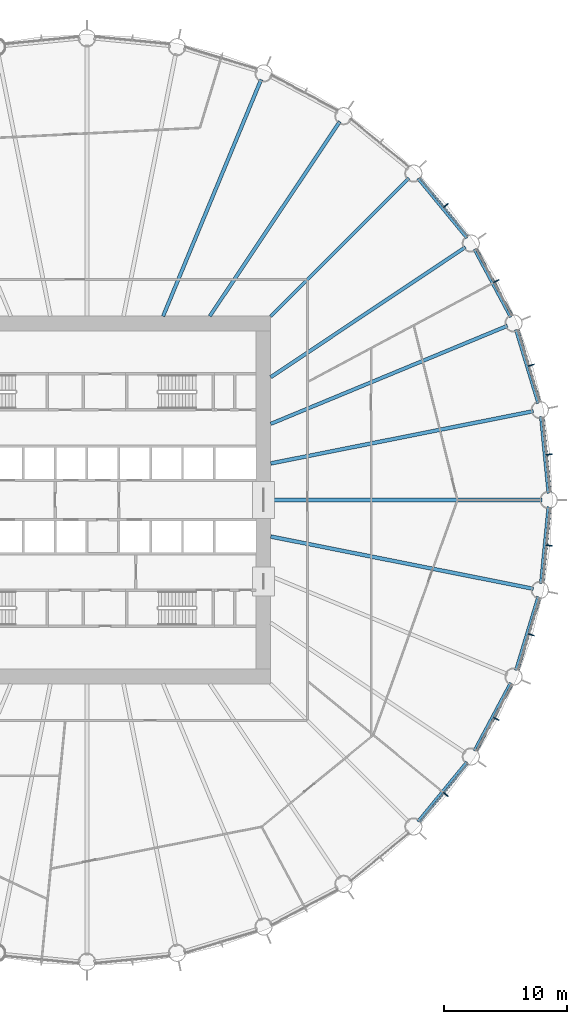
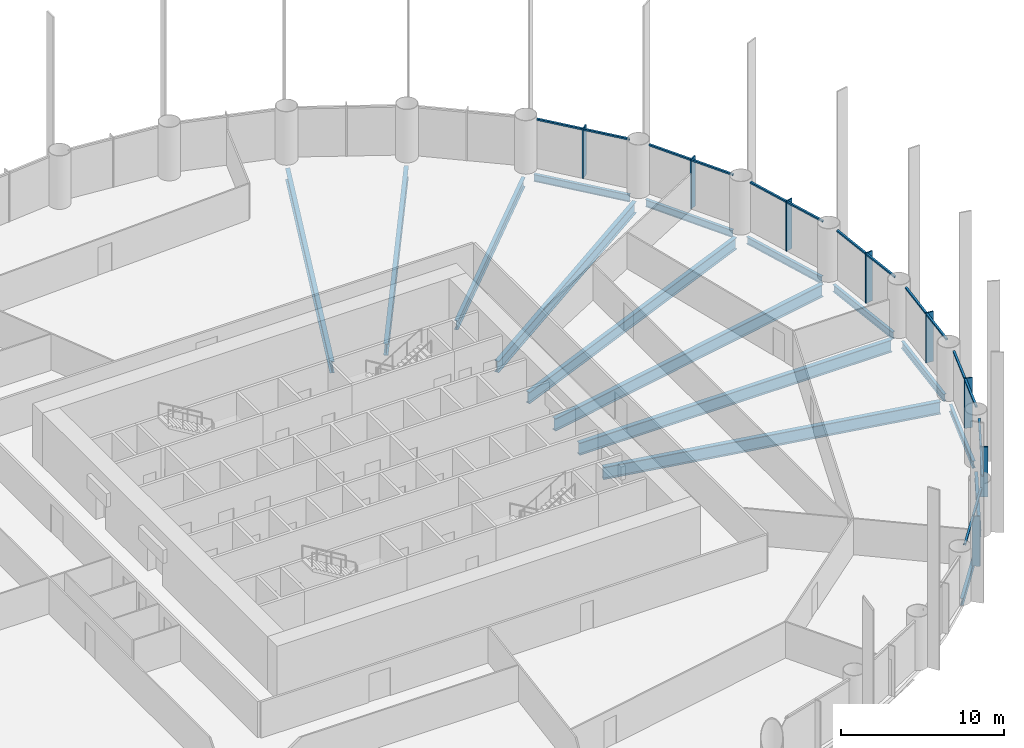
# One storey, part 5 of 14: 24 members, 16 beams, 8 elements without a shape of their own.
"""IFC4 building model written with IfcOpenShell, lengths in metres."""

from ifc_helpers import new_model, si_unit, direction, frame, origin, origin_2d, place, context, subcontext, project, spatial, rectangle, i_section, extrude, material, material_profile, profile_set, type_object, element, aggregate, save


model = new_model("IFC4")

# Units and contexts
model_context = context("Model", 3, precision=1e-05, world=origin(), true_north=direction((0.0, 1.0)))
body_context = subcontext(model_context, "Body", "Model", "MODEL_VIEW")
ifc_project = project(units=[si_unit("LENGTHUNIT", "METRE"), si_unit("AREAUNIT", "SQUARE_METRE"), si_unit("VOLUMEUNIT", "CUBIC_METRE"), si_unit("PLANEANGLEUNIT", "RADIAN"), si_unit("MASSUNIT", "GRAM", prefix="KILO")], contexts=[model_context])

# Site, building, storey
site_placement = place(None, origin())
site = spatial("IfcSite", under=ifc_project, at=site_placement, CompositionType="ELEMENT")
building_placement = place(site_placement, origin())
building = spatial("IfcBuilding", under=site, at=building_placement, Name="Corvane Civic Tower", CompositionType="ELEMENT")
storey_placement = place(building_placement, frame((0.0, 0.0, 77.0)))
storey = spatial("IfcBuildingStorey", under=building, at=storey_placement, Name="L17", CompositionType="ELEMENT", Elevation=77.0)

# Beams
ifc_material_1 = material(Name="Steel ASTM A992 Gr 50", Category="steel")
ifc_material_profile_1 = material_profile(ifc_material_1, i_section(OverallWidth=0.209228515625, OverallDepth=0.533447265625, WebThickness=0.01025390625, FlangeThickness=0.015625, at=origin_2d()), Name="W21X62")
ifc_profile_set_1 = profile_set([ifc_material_profile_1], Name="Steel ASTM A992 Gr 50")
beam_type_1 = type_object("IfcBeamType", Name="EDGE BEAM W21X62", PredefinedType="BEAM", material=ifc_profile_set_1)
beam_1_placement = place(storey_placement, frame((27.0068359375, 26.23291015625, -0.566650390625), z_axis=(0.634386787141, -0.773015785286, 0.0), x_axis=(0.773015785286, 0.634386787141, 0.0)))
element("IfcBeam", 1, at=beam_1_placement, inside=storey, type_object=beam_type_1, Name="BM-L17-E05", PredefinedType="BEAM", context=body_context, shape_type="SweptSolid", body=[
    extrude(i_section(OverallWidth=0.209228515625, OverallDepth=0.533447265625, WebThickness=0.01025390625, FlangeThickness=0.015625, at=origin_2d()), origin(), (0.0, 0.0, 1.0), 6.290771484375),
])
for number, where, z_axis, x_axis, name in (
    (2, (31.605712890625, 20.4599609375, -0.566650390625), (0.471405897311, -0.881916367906, 0.0), (0.881916367906, 0.471405897311, 0.0), "BM-L17-E06"),
    (3, (34.989990234375, 13.90087890625, -0.566650390625), (0.290273452184, -0.956943740748, 0.0), (0.956943740748, 0.290273452184, 0.0), "BM-L17-E07"),
):
    element("IfcBeam", number, at=place(storey_placement, frame(where, z_axis=z_axis, x_axis=x_axis)), inside=storey, type_object=beam_type_1, Name=name, PredefinedType="BEAM", context=body_context, shape_type="SweptSolid", body=[
        extrude(i_section(OverallWidth=0.209228515625, OverallDepth=0.533447265625, WebThickness=0.01025390625, FlangeThickness=0.015625, at=origin_2d()), origin(), (0.0, 0.0, 1.0), 6.290283203125),
    ])
for number, where, z_axis, x_axis, name in (
    (4, (37.029541015625, 6.8076171875, -0.566650390625), (0.097997284622, -0.995186682089, 0.0), (0.995186682089, 0.097997284622, 0.0), "BM-L17-E08"),
    (5, (37.64599609375, -0.54736328125, -0.566650390625), (-0.097997284622, -0.995186682089, 0.0), (0.995186682089, -0.097997284622, 0.0), "BM-L17-E09"),
):
    element("IfcBeam", number, at=place(storey_placement, frame(where, z_axis=z_axis, x_axis=x_axis)), inside=storey, type_object=beam_type_1, Name=name, PredefinedType="BEAM", context=body_context, shape_type="SweptSolid", body=[
        extrude(i_section(OverallWidth=0.209228515625, OverallDepth=0.533447265625, WebThickness=0.01025390625, FlangeThickness=0.015625, at=origin_2d()), origin(), (0.0, 0.0, 1.0), 6.29052734375),
    ])
for number, where, z_axis, x_axis, name in (
    (6, (36.81591796875, -7.88134765625, -0.566650390625), (-0.290273452184, -0.956943740748, 0.0), (0.956943740748, -0.290273452184, 0.0), "BM-L17-E10"),
    (7, (34.571044921875, -14.912353515625, -0.566650390625), (-0.471405897311, -0.881916367906, 0.0), (0.881916367906, -0.471405897311, 0.0), "BM-L17-E11"),
):
    element("IfcBeam", number, at=place(storey_placement, frame(where, z_axis=z_axis, x_axis=x_axis)), inside=storey, type_object=beam_type_1, Name=name, PredefinedType="BEAM", context=body_context, shape_type="SweptSolid", body=[
        extrude(i_section(OverallWidth=0.209228515625, OverallDepth=0.533447265625, WebThickness=0.01025390625, FlangeThickness=0.015625, at=origin_2d()), origin(), (0.0, 0.0, 1.0), 6.290283203125),
    ])
beam_2_placement = place(storey_placement, frame((30.99755859375, -21.3701171875, -0.566650390625), z_axis=(-0.634386787141, -0.773015785286, 0.0), x_axis=(0.773015785286, -0.634386787141, 0.0)))
element("IfcBeam", 8, at=beam_2_placement, inside=storey, type_object=beam_type_1, Name="BM-L17-E12", PredefinedType="BEAM", context=body_context, shape_type="SweptSolid", body=[
    extrude(i_section(OverallWidth=0.209228515625, OverallDepth=0.533447265625, WebThickness=0.01025390625, FlangeThickness=0.015625, at=origin_2d()), origin(), (0.0, 0.0, 1.0), 6.290771484375),
])
ifc_material_2 = material(Name="Steel ASTM A992 Gr 50", Category="steel")
ifc_material_profile_2 = material_profile(ifc_material_2, i_section(OverallWidth=0.256591796875, OverallDepth=0.693359375, WebThickness=0.014404296875, FlangeThickness=0.023681640625, at=origin_2d()), Name="W27X114")
ifc_profile_set_2 = profile_set([ifc_material_profile_2], Name="Steel ASTM A992 Gr 50")
beam_type_2 = type_object("IfcBeamType", Name="FLOOR GIRDER W27X114", PredefinedType="BEAM", material=ifc_profile_set_2)
beam_3_placement = place(storey_placement, frame((15.0, 15.0, -0.646728515625), z_axis=(0.707106781187, 0.707106781187, 0.0), x_axis=(-0.707106781187, 0.707106781187, 0.0)))
element("IfcBeam", 9, at=beam_3_placement, inside=storey, type_object=beam_type_2, Name="BM-L17-G05", PredefinedType="BEAM", context=body_context, shape_type="SweptSolid", body=[
    extrude(i_section(OverallWidth=0.256591796875, OverallDepth=0.693359375, WebThickness=0.014404296875, FlangeThickness=0.023681640625, at=origin_2d()), origin(), (0.0, 0.0, 1.0), 15.936767578125),
])
ifc_material_3 = material(Name="Steel ASTM A992 Gr 50", Category="steel")
ifc_material_profile_3 = material_profile(ifc_material_3, i_section(OverallWidth=0.2919921875, OverallDepth=0.8583984375, WebThickness=0.01708984375, FlangeThickness=0.031005859375, at=origin_2d()), Name="W33X169")
ifc_profile_set_3 = profile_set([ifc_material_profile_3], Name="Steel ASTM A992 Gr 50")
beam_type_3 = type_object("IfcBeamType", Name="FLOOR GIRDER W33X169", PredefinedType="BEAM", material=ifc_profile_set_3)
beam_4_placement = place(storey_placement, frame((6.213134765625, 15.0, -0.729248046875), z_axis=(0.382692360381, 0.923875834355, 0.0), x_axis=(-0.923875834355, 0.382692360381, 0.0)))
element("IfcBeam", 10, at=beam_4_placement, inside=storey, type_object=beam_type_3, Name="BM-L17-G03", PredefinedType="BEAM", context=body_context, shape_type="SweptSolid", body=[
    extrude(i_section(OverallWidth=0.2919921875, OverallDepth=0.8583984375, WebThickness=0.01708984375, FlangeThickness=0.031005859375, at=origin_2d()), origin(), (0.0, 0.0, 1.0), 20.9140625),
])
for number, where, z_axis, x_axis, name in (
    (11, (10.022705078125, 15.0, -0.729248046875), (0.555566681385, 0.831471985418, 0.0), (-0.831471985418, 0.555566681385, 0.0), "BM-L17-G04"),
    (12, (15.0, 10.022705078125, -0.729248046875), (0.831471985418, 0.555566681385, 0.0), (-0.555566681385, 0.831471985418, 0.0), "BM-L17-G06"),
):
    element("IfcBeam", number, at=place(storey_placement, frame(where, z_axis=z_axis, x_axis=x_axis)), inside=storey, type_object=beam_type_3, Name=name, PredefinedType="BEAM", context=body_context, shape_type="SweptSolid", body=[
        extrude(i_section(OverallWidth=0.2919921875, OverallDepth=0.8583984375, WebThickness=0.01708984375, FlangeThickness=0.031005859375, at=origin_2d()), origin(), (0.0, 0.0, 1.0), 19.109619140625),
    ])
beam_5_placement = place(storey_placement, frame((15.0, 6.213134765625, -0.729248046875), z_axis=(0.923875834355, 0.382692360381, 0.0), x_axis=(-0.382692360381, 0.923875834355, 0.0)))
element("IfcBeam", 13, at=beam_5_placement, inside=storey, type_object=beam_type_3, Name="BM-L17-G07", PredefinedType="BEAM", context=body_context, shape_type="SweptSolid", body=[
    extrude(i_section(OverallWidth=0.2919921875, OverallDepth=0.8583984375, WebThickness=0.01708984375, FlangeThickness=0.031005859375, at=origin_2d()), origin(), (0.0, 0.0, 1.0), 20.9140625),
])
ifc_material_4 = material(Name="Steel ASTM A992 Gr 50", Category="steel")
ifc_material_profile_4 = material_profile(ifc_material_4, i_section(OverallWidth=0.307373046875, OverallDepth=0.927001953125, WebThickness=0.01953125, FlangeThickness=0.031982421875, at=origin_2d()), Name="W36X194")
ifc_profile_set_4 = profile_set([ifc_material_profile_4], Name="Steel ASTM A992 Gr 50")
beam_type_4 = type_object("IfcBeamType", Name="FLOOR GIRDER W36X194", PredefinedType="BEAM", material=ifc_profile_set_4)
beam_6_placement = place(storey_placement, frame((15.0, 2.983642578125, -0.763671875), z_axis=(0.980785499679, 0.195089219638, 0.0), x_axis=(-0.195089219638, 0.980785499679, 0.0)))
element("IfcBeam", 14, at=beam_6_placement, inside=storey, type_object=beam_type_4, Name="BM-L17-G08", PredefinedType="BEAM", context=body_context, shape_type="SweptSolid", body=[
    extrude(i_section(OverallWidth=0.307373046875, OverallDepth=0.927001953125, WebThickness=0.01953125, FlangeThickness=0.031982421875, at=origin_2d()), origin(), (0.0, 0.0, 1.0), 21.856201171875),
])
beam_7_placement = place(storey_placement, frame((15.0, 0.0, -0.763671875), z_axis=(1.0, 0.0, 0.0), x_axis=(0.0, 1.0, 0.0)))
element("IfcBeam", 15, at=beam_7_placement, inside=storey, type_object=beam_type_4, Name="BM-L17-G09", PredefinedType="BEAM", context=body_context, shape_type="SweptSolid", body=[
    extrude(i_section(OverallWidth=0.307373046875, OverallDepth=0.927001953125, WebThickness=0.01953125, FlangeThickness=0.031982421875, at=origin_2d()), origin(), (0.0, 0.0, 1.0), 22.14990234375),
])
beam_8_placement = place(storey_placement, frame((15.0, -2.983642578125, -0.763671875), z_axis=(0.980785499679, -0.195089219638, 0.0), x_axis=(0.195089219638, 0.980785499679, 0.0)))
element("IfcBeam", 16, at=beam_8_placement, inside=storey, type_object=beam_type_4, Name="BM-L17-G10", PredefinedType="BEAM", context=body_context, shape_type="SweptSolid", body=[
    extrude(i_section(OverallWidth=0.307373046875, OverallDepth=0.927001953125, WebThickness=0.01953125, FlangeThickness=0.031982421875, at=origin_2d()), origin(), (0.0, 0.0, 1.0), 21.856201171875),
])

# Curtain wall, members
ifc_material_5 = material(Name="Anodised aluminium bronze", Category="aluminium")
curtain_wall_type = type_object("IfcCurtainWallType", Name="TOWER CW-T1 STICK CURTAIN WALL", PredefinedType="NOTDEFINED", material=ifc_material_5)
curtain_wall_1_placement = place(storey_placement, origin())
curtain_wall_1 = element("IfcCurtainWall", 17, at=curtain_wall_1_placement, inside=storey, type_object=curtain_wall_type, Name="Curtain wall CW-T1 L17 bay 05", PredefinedType="NOTDEFINED")
ifc_material_6 = material(Name="Anodised aluminium bronze", Category="aluminium")
ifc_material_profile_5 = material_profile(ifc_material_6, rectangle(XDim=0.139892578125, YDim=0.1201171875, at=origin_2d()), Name="TOWER CW-T1 TRANSOM 140x120")
ifc_profile_set_5 = profile_set([ifc_material_profile_5], Name="Anodised aluminium bronze")
member_type_1 = type_object("IfcMemberType", Name="TOWER CW-T1 TRANSOM 140x120", PredefinedType="USERDEFINED", material=ifc_profile_set_5)
member_1_placement = place(storey_placement, frame((27.20654296875, 26.271728515625, 3.68994140625), z_axis=(0.634403652865, -0.773001943873, 0.0), x_axis=(0.773001943873, 0.634403652865, 0.0)))
member_1 = element("IfcMember", 18, at=member_1_placement, type_object=member_type_1, Name="Transom CW-T1 L17 05.1", ObjectType="TRANSOM", PredefinedType="USERDEFINED", context=body_context, shape_type="SweptSolid", body=[
    extrude(rectangle(XDim=0.139892578125, YDim=0.1201171875, at=origin_2d()), origin(), (0.0, 0.0, 1.0), 3.008544921875),
])
member_2_placement = place(storey_placement, frame((29.166015625, 23.88427734375, 3.68994140625), z_axis=(0.634355161466, -0.773041738279, 0.0), x_axis=(0.773041738279, 0.634355161466, 0.0)))
member_2 = element("IfcMember", 19, at=member_2_placement, type_object=member_type_1, Name="Transom CW-T1 L17 05.2", ObjectType="TRANSOM", PredefinedType="USERDEFINED", context=body_context, shape_type="SweptSolid", body=[
    extrude(rectangle(XDim=0.139892578125, YDim=0.1201171875, at=origin_2d()), origin(), (0.0, 0.0, 1.0), 3.008544921875),
])

curtain_wall_2_placement = place(storey_placement, origin())
curtain_wall_2 = element("IfcCurtainWall", 20, at=curtain_wall_2_placement, inside=storey, type_object=curtain_wall_type, Name="Curtain wall CW-T1 L17 bay 06", PredefinedType="NOTDEFINED")
member_3_placement = place(storey_placement, frame((31.809326171875, 20.459228515625, 3.68994140625), z_axis=(0.471392506424, -0.881923525532, 0.0), x_axis=(0.881923525532, 0.471392506424, 0.0)))
member_3 = element("IfcMember", 21, at=member_3_placement, type_object=member_type_1, Name="Transom CW-T1 L17 06.1", ObjectType="TRANSOM", PredefinedType="USERDEFINED", context=body_context, shape_type="SweptSolid", body=[
    extrude(rectangle(XDim=0.139892578125, YDim=0.1201171875, at=origin_2d()), origin(), (0.0, 0.0, 1.0), 3.008544921875),
])
member_4_placement = place(storey_placement, frame((33.26513671875, 17.7353515625, 3.68994140625), z_axis=(0.471392506424, -0.881923525532, 0.0), x_axis=(0.881923525532, 0.471392506424, 0.0)))
member_4 = element("IfcMember", 22, at=member_4_placement, type_object=member_type_1, Name="Transom CW-T1 L17 06.2", ObjectType="TRANSOM", PredefinedType="USERDEFINED", context=body_context, shape_type="SweptSolid", body=[
    extrude(rectangle(XDim=0.139892578125, YDim=0.1201171875, at=origin_2d()), origin(), (0.0, 0.0, 1.0), 3.008544921875),
])

curtain_wall_3_placement = place(storey_placement, origin())
curtain_wall_3 = element("IfcCurtainWall", 23, at=curtain_wall_3_placement, inside=storey, type_object=curtain_wall_type, Name="Curtain wall CW-T1 L17 bay 07", PredefinedType="NOTDEFINED")
member_5_placement = place(storey_placement, frame((35.189453125, 13.8603515625, 3.68994140625), z_axis=(0.290279914268, -0.956941780555, 0.0), x_axis=(0.956941780555, 0.290279914268, 0.0)))
member_5 = element("IfcMember", 24, at=member_5_placement, type_object=member_type_1, Name="Transom CW-T1 L17 07.1", ObjectType="TRANSOM", PredefinedType="USERDEFINED", context=body_context, shape_type="SweptSolid", body=[
    extrude(rectangle(XDim=0.139892578125, YDim=0.1201171875, at=origin_2d()), origin(), (0.0, 0.0, 1.0), 3.008544921875),
])
member_6_placement = place(storey_placement, frame((36.0859375, 10.90478515625, 3.68994140625), z_axis=(0.290279914268, -0.956941780555, 0.0), x_axis=(0.956941780555, 0.290279914268, 0.0)))
member_6 = element("IfcMember", 25, at=member_6_placement, type_object=member_type_1, Name="Transom CW-T1 L17 07.2", ObjectType="TRANSOM", PredefinedType="USERDEFINED", context=body_context, shape_type="SweptSolid", body=[
    extrude(rectangle(XDim=0.139892578125, YDim=0.1201171875, at=origin_2d()), origin(), (0.0, 0.0, 1.0), 3.008544921875),
])

curtain_wall_4_placement = place(storey_placement, origin())
curtain_wall_4 = element("IfcCurtainWall", 26, at=curtain_wall_4_placement, inside=storey, type_object=curtain_wall_type, Name="Curtain wall CW-T1 L17 bay 08", PredefinedType="NOTDEFINED")
member_7_placement = place(storey_placement, frame((37.21728515625, 6.72900390625, 3.68994140625), z_axis=(0.097944923917, -0.995191836722, 0.0), x_axis=(0.995191836722, 0.097944923917, 0.0)))
member_7 = element("IfcMember", 27, at=member_7_placement, type_object=member_type_1, Name="Transom CW-T1 L17 08.1", ObjectType="TRANSOM", PredefinedType="USERDEFINED", context=body_context, shape_type="SweptSolid", body=[
    extrude(rectangle(XDim=0.139892578125, YDim=0.1201171875, at=origin_2d()), origin(), (0.0, 0.0, 1.0), 3.008544921875),
])
member_8_placement = place(storey_placement, frame((37.52001953125, 3.6552734375, 3.68994140625), z_axis=(0.097944923917, -0.995191836722, 0.0), x_axis=(0.995191836722, 0.097944923917, 0.0)))
member_8 = element("IfcMember", 28, at=member_8_placement, type_object=member_type_1, Name="Transom CW-T1 L17 08.2", ObjectType="TRANSOM", PredefinedType="USERDEFINED", context=body_context, shape_type="SweptSolid", body=[
    extrude(rectangle(XDim=0.139892578125, YDim=0.1201171875, at=origin_2d()), origin(), (0.0, 0.0, 1.0), 3.008544921875),
])

curtain_wall_5_placement = place(storey_placement, origin())
curtain_wall_5 = element("IfcCurtainWall", 29, at=curtain_wall_5_placement, inside=storey, type_object=curtain_wall_type, Name="Curtain wall CW-T1 L17 bay 09", PredefinedType="NOTDEFINED")
member_9_placement = place(storey_placement, frame((37.814697265625, -0.6611328125, 3.68994140625), z_axis=(-0.097944923917, -0.995191836722, 0.0), x_axis=(0.995191836722, -0.097944923917, 0.0)))
member_9 = element("IfcMember", 30, at=member_9_placement, type_object=member_type_1, Name="Transom CW-T1 L17 09.1", ObjectType="TRANSOM", PredefinedType="USERDEFINED", context=body_context, shape_type="SweptSolid", body=[
    extrude(rectangle(XDim=0.139892578125, YDim=0.1201171875, at=origin_2d()), origin(), (0.0, 0.0, 1.0), 3.008544921875),
])
member_10_placement = place(storey_placement, frame((37.511962890625, -3.73486328125, 3.68994140625), z_axis=(-0.097944923917, -0.995191836722, 0.0), x_axis=(0.995191836722, -0.097944923917, 0.0)))
member_10 = element("IfcMember", 31, at=member_10_placement, type_object=member_type_1, Name="Transom CW-T1 L17 09.2", ObjectType="TRANSOM", PredefinedType="USERDEFINED", context=body_context, shape_type="SweptSolid", body=[
    extrude(rectangle(XDim=0.139892578125, YDim=0.1201171875, at=origin_2d()), origin(), (0.0, 0.0, 1.0), 3.008544921875),
])

curtain_wall_6_placement = place(storey_placement, origin())
curtain_wall_6 = element("IfcCurtainWall", 32, at=curtain_wall_6_placement, inside=storey, type_object=curtain_wall_type, Name="Curtain wall CW-T1 L17 bay 10", PredefinedType="NOTDEFINED")
member_11_placement = place(storey_placement, frame((36.959228515625, -8.02587890625, 3.68994140625), z_axis=(-0.290279914268, -0.956941780555, 0.0), x_axis=(0.956941780555, -0.290279914268, 0.0)))
member_11 = element("IfcMember", 33, at=member_11_placement, type_object=member_type_1, Name="Transom CW-T1 L17 10.1", ObjectType="TRANSOM", PredefinedType="USERDEFINED", context=body_context, shape_type="SweptSolid", body=[
    extrude(rectangle(XDim=0.139892578125, YDim=0.1201171875, at=origin_2d()), origin(), (0.0, 0.0, 1.0), 3.008544921875),
])
member_12_placement = place(storey_placement, frame((36.062744140625, -10.9814453125, 3.68994140625), z_axis=(-0.290279914268, -0.956941780555, 0.0), x_axis=(0.956941780555, -0.290279914268, 0.0)))
member_12 = element("IfcMember", 34, at=member_12_placement, type_object=member_type_1, Name="Transom CW-T1 L17 10.2", ObjectType="TRANSOM", PredefinedType="USERDEFINED", context=body_context, shape_type="SweptSolid", body=[
    extrude(rectangle(XDim=0.139892578125, YDim=0.1201171875, at=origin_2d()), origin(), (0.0, 0.0, 1.0), 3.008544921875),
])

curtain_wall_7_placement = place(storey_placement, origin())
curtain_wall_7 = element("IfcCurtainWall", 35, at=curtain_wall_7_placement, inside=storey, type_object=curtain_wall_type, Name="Curtain wall CW-T1 L17 bay 11", PredefinedType="NOTDEFINED")
member_13_placement = place(storey_placement, frame((34.683349609375, -15.08203125, 3.68994140625), z_axis=(-0.471392506424, -0.881923525532, 0.0), x_axis=(0.881923525532, -0.471392506424, 0.0)))
member_13 = element("IfcMember", 36, at=member_13_placement, type_object=member_type_1, Name="Transom CW-T1 L17 11.1", ObjectType="TRANSOM", PredefinedType="USERDEFINED", context=body_context, shape_type="SweptSolid", body=[
    extrude(rectangle(XDim=0.139892578125, YDim=0.1201171875, at=origin_2d()), origin(), (0.0, 0.0, 1.0), 3.008544921875),
])
member_14_placement = place(storey_placement, frame((33.2275390625, -17.805908203125, 3.68994140625), z_axis=(-0.471392506424, -0.881923525532, 0.0), x_axis=(0.881923525532, -0.471392506424, 0.0)))
member_14 = element("IfcMember", 37, at=member_14_placement, type_object=member_type_1, Name="Transom CW-T1 L17 11.2", ObjectType="TRANSOM", PredefinedType="USERDEFINED", context=body_context, shape_type="SweptSolid", body=[
    extrude(rectangle(XDim=0.139892578125, YDim=0.1201171875, at=origin_2d()), origin(), (0.0, 0.0, 1.0), 3.008544921875),
])

curtain_wall_8_placement = place(storey_placement, origin())
curtain_wall_8 = element("IfcCurtainWall", 38, at=curtain_wall_8_placement, inside=storey, type_object=curtain_wall_type, Name="Curtain wall CW-T1 L17 bay 12", PredefinedType="NOTDEFINED")
member_15_placement = place(storey_placement, frame((31.074462890625, -21.55859375, 3.68994140625), z_axis=(-0.634355161466, -0.773041738279, 0.0), x_axis=(0.773041738279, -0.634355161466, 0.0)))
member_15 = element("IfcMember", 39, at=member_15_placement, type_object=member_type_1, Name="Transom CW-T1 L17 12.1", ObjectType="TRANSOM", PredefinedType="USERDEFINED", context=body_context, shape_type="SweptSolid", body=[
    extrude(rectangle(XDim=0.139892578125, YDim=0.1201171875, at=origin_2d()), origin(), (0.0, 0.0, 1.0), 3.008544921875),
])
member_16_placement = place(storey_placement, frame((29.115234375, -23.946044921875, 3.68994140625), z_axis=(-0.634403652865, -0.773001943873, 0.0), x_axis=(0.773001943873, -0.634403652865, 0.0)))
member_16 = element("IfcMember", 40, at=member_16_placement, type_object=member_type_1, Name="Transom CW-T1 L17 12.2", ObjectType="TRANSOM", PredefinedType="USERDEFINED", context=body_context, shape_type="SweptSolid", body=[
    extrude(rectangle(XDim=0.139892578125, YDim=0.1201171875, at=origin_2d()), origin(), (0.0, 0.0, 1.0), 3.008544921875),
])

# Member
ifc_material_7 = material(Name="Anodised aluminium bronze", Category="aluminium")
ifc_material_profile_6 = material_profile(ifc_material_7, rectangle(XDim=0.080078125, YDim=0.5, at=origin_2d()), Name="TOWER FIN MULLION 80x500 BRONZE")
ifc_profile_set_6 = profile_set([ifc_material_profile_6], Name="Anodised aluminium bronze")
member_type_2 = type_object("IfcMemberType", Name="TOWER FIN MULLION 80x500 BRONZE", PredefinedType="MULLION", material=ifc_profile_set_6)
member_17_placement = place(storey_placement, frame((29.295166015625, 24.0419921875, 0.0), z_axis=(0.0, 0.0, 1.0), x_axis=(0.634397218569, -0.773007224463, 0.0)))
member_17 = element("IfcMember", 41, at=member_17_placement, type_object=member_type_2, Name="Fin mullion 05 L17", PredefinedType="MULLION", context=body_context, shape_type="SweptSolid", body=[
    extrude(rectangle(XDim=0.080078125, YDim=0.5, at=origin_2d()), origin(), (0.0, 0.0, 1.0), 3.75),
])

aggregate(curtain_wall_1, [member_17, member_1, member_2])

member_18_placement = place(storey_placement, frame((33.422607421875, 17.86474609375, 0.0), z_axis=(0.0, 0.0, 1.0), x_axis=(0.471403725359, -0.881917528864, 0.0)))
member_18 = element("IfcMember", 42, at=member_18_placement, type_object=member_type_2, Name="Fin mullion 06 L17", PredefinedType="MULLION", context=body_context, shape_type="SweptSolid", body=[
    extrude(rectangle(XDim=0.080078125, YDim=0.5, at=origin_2d()), origin(), (0.0, 0.0, 1.0), 3.75),
])

aggregate(curtain_wall_2, [member_18, member_3, member_4])

member_19_placement = place(storey_placement, frame((36.265625, 11.001220703125, 0.0), z_axis=(0.0, 0.0, 1.0), x_axis=(0.290278397654, -0.956942240606, 0.0)))
member_19 = element("IfcMember", 43, at=member_19_placement, type_object=member_type_2, Name="Fin mullion 07 L17", PredefinedType="MULLION", context=body_context, shape_type="SweptSolid", body=[
    extrude(rectangle(XDim=0.080078125, YDim=0.5, at=origin_2d()), origin(), (0.0, 0.0, 1.0), 3.75),
])

aggregate(curtain_wall_3, [member_19, member_5, member_6])

member_20_placement = place(storey_placement, frame((37.715087890625, 3.714599609375, 0.0), z_axis=(0.0, 0.0, 1.0), x_axis=(0.098006239521, -0.995185800248, 0.0)))
member_20 = element("IfcMember", 44, at=member_20_placement, type_object=member_type_2, Name="Fin mullion 08 L17", PredefinedType="MULLION", context=body_context, shape_type="SweptSolid", body=[
    extrude(rectangle(XDim=0.080078125, YDim=0.5, at=origin_2d()), origin(), (0.0, 0.0, 1.0), 3.75),
])

aggregate(curtain_wall_4, [member_20, member_7, member_8])

member_21_placement = place(storey_placement, frame((37.715087890625, -3.714599609375, 0.0), z_axis=(0.0, 0.0, 1.0), x_axis=(-0.098006239521, -0.995185800248, 0.0)))
member_21 = element("IfcMember", 45, at=member_21_placement, type_object=member_type_2, Name="Fin mullion 09 L17", PredefinedType="MULLION", context=body_context, shape_type="SweptSolid", body=[
    extrude(rectangle(XDim=0.080078125, YDim=0.5, at=origin_2d()), origin(), (0.0, 0.0, 1.0), 3.75),
])

aggregate(curtain_wall_5, [member_21, member_9, member_10])

member_22_placement = place(storey_placement, frame((36.265625, -11.001220703125, 0.0), z_axis=(0.0, 0.0, 1.0), x_axis=(-0.290278397654, -0.956942240606, 0.0)))
member_22 = element("IfcMember", 46, at=member_22_placement, type_object=member_type_2, Name="Fin mullion 10 L17", PredefinedType="MULLION", context=body_context, shape_type="SweptSolid", body=[
    extrude(rectangle(XDim=0.080078125, YDim=0.5, at=origin_2d()), origin(), (0.0, 0.0, 1.0), 3.75),
])

aggregate(curtain_wall_6, [member_22, member_11, member_12])

member_23_placement = place(storey_placement, frame((33.422607421875, -17.86474609375, 0.0), z_axis=(0.0, 0.0, 1.0), x_axis=(-0.471403725359, -0.881917528864, 0.0)))
member_23 = element("IfcMember", 47, at=member_23_placement, type_object=member_type_2, Name="Fin mullion 11 L17", PredefinedType="MULLION", context=body_context, shape_type="SweptSolid", body=[
    extrude(rectangle(XDim=0.080078125, YDim=0.5, at=origin_2d()), origin(), (0.0, 0.0, 1.0), 3.75),
])

aggregate(curtain_wall_7, [member_23, member_13, member_14])

member_24_placement = place(storey_placement, frame((29.295166015625, -24.0419921875, 0.0), z_axis=(0.0, 0.0, 1.0), x_axis=(-0.634397218569, -0.773007224463, 0.0)))
member_24 = element("IfcMember", 48, at=member_24_placement, type_object=member_type_2, Name="Fin mullion 12 L17", PredefinedType="MULLION", context=body_context, shape_type="SweptSolid", body=[
    extrude(rectangle(XDim=0.080078125, YDim=0.5, at=origin_2d()), origin(), (0.0, 0.0, 1.0), 3.75),
])

aggregate(curtain_wall_8, [member_24, member_15, member_16])

save(model, "model.ifc")
